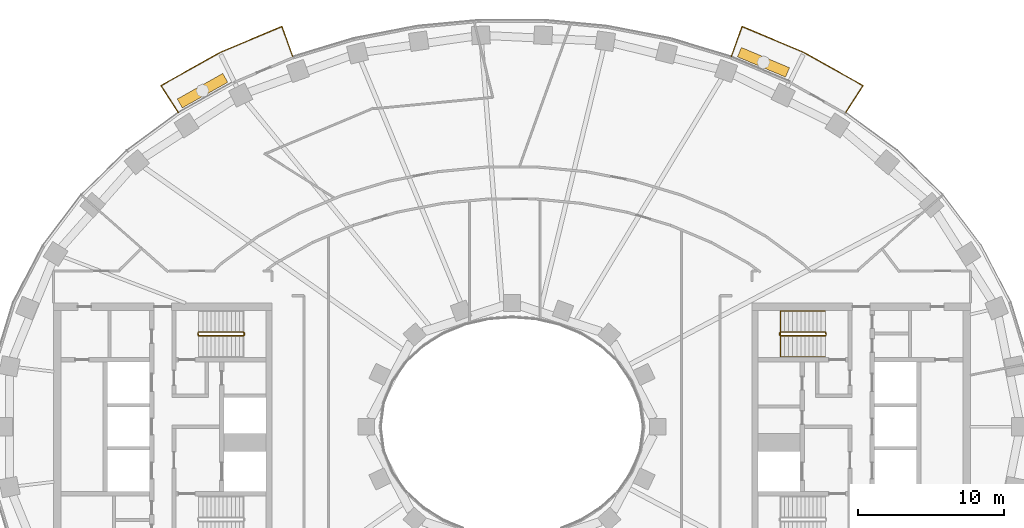
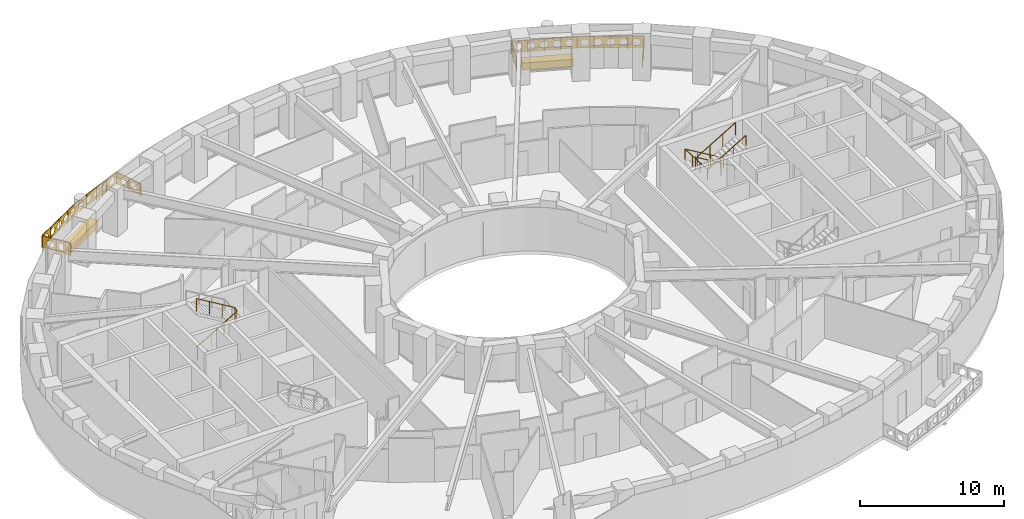
# One storey, part 15 of 16: 5 railings, 2 coverings.
"""IFC4 building model written with IfcOpenShell, lengths in metres."""

from ifc_helpers import new_model, si_unit, direction, frame, origin, origin_2d, place, context, subcontext, project, spatial, polyline, rectangle, outline, extrude, material, type_object, element, save


model = new_model("IFC4")

# Units and contexts
model_context = context("Model", 3, precision=1e-05, world=origin(), true_north=direction((0.0, 1.0)))
body_context = subcontext(model_context, "Body", "Model", "MODEL_VIEW")
ifc_project = project(units=[si_unit("LENGTHUNIT", "METRE"), si_unit("AREAUNIT", "SQUARE_METRE"), si_unit("VOLUMEUNIT", "CUBIC_METRE"), si_unit("PLANEANGLEUNIT", "RADIAN"), si_unit("MASSUNIT", "GRAM", prefix="KILO")], contexts=[model_context])

# Site, building, storey
site_placement = place(None, origin())
site = spatial("IfcSite", under=ifc_project, at=site_placement, CompositionType="ELEMENT")
building_placement = place(site_placement, origin())
building = spatial("IfcBuilding", under=site, at=building_placement, Name="Noorbagh Ring Tower", CompositionType="ELEMENT")
storey_placement = place(building_placement, frame((0.0, 0.0, 116.0)))
storey = spatial("IfcBuildingStorey", under=building, at=storey_placement, Name="L26", CompositionType="ELEMENT", Elevation=116.0)

# Railings
ifc_material_1 = material(Name="Stainless steel", Category="steel")
railing_type_1 = type_object("IfcRailingType", Name="CORE-STAIR-GUARD", PredefinedType="GUARDRAIL", material=ifc_material_1)
railing_1_placement = place(storey_placement, frame((-21.580078125, 6.300048828125, 0.0)))
element("IfcRailing", 1, at=railing_1_placement, inside=storey, type_object=railing_type_1, Name="L26 ST1 stair guard", PredefinedType="GUARDRAIL", context=body_context, shape_type="SweptSolid", body=[
    extrude(rectangle(XDim=0.048095703125, YDim=0.048095703125, at=origin_2d()), frame((0.0, 0.0, 1.076171875), z_axis=(0.0, 1.0, 0.0), x_axis=(-1.0, 0.0, 0.0)), (0.0, 0.0, 1.0), 0.14990234375),
    extrude(rectangle(XDim=0.048095703125, YDim=0.048095703125, at=origin_2d()), frame((0.0, 0.14990234375, 1.076171875), z_axis=(0.188775798145, -0.754182335027, 0.628945707965), x_axis=(0.970072785993, 0.242814311512, 0.0)), (0.0, 0.0, 1.0), 0.26513671875),
    extrude(rectangle(XDim=0.048095703125, YDim=0.048095703125, at=origin_2d()), frame((0.050048828125, -0.050048828125, 1.24267578125), z_axis=(0.859308565015, 0.0, 0.511457515432), x_axis=(0.0, 1.0, 0.0)), (0.0, 0.0, 1.0), 3.58447265625),
    extrude(rectangle(XDim=0.048095703125, YDim=0.048095703125, at=origin_2d()), frame((3.130126953125, -0.050048828125, 3.076171875), z_axis=(0.707106781187, 0.707106781187, 0.0), x_axis=(-0.707106781187, 0.707106781187, 0.0)), (0.0, 0.0, 1.0), 0.07080078125),
    extrude(rectangle(XDim=0.048095703125, YDim=0.048095703125, at=origin_2d()), frame((3.18017578125, 0.0, 3.076171875), z_axis=(0.0, 1.0, 0.0), x_axis=(-1.0, 0.0, 0.0)), (0.0, 0.0, 1.0), 0.14990234375),
    extrude(rectangle(XDim=0.048095703125, YDim=0.048095703125, at=origin_2d()), frame((3.18017578125, 0.14990234375, 3.076171875), z_axis=(-0.27628659633, 0.27628659633, 0.920506074601), x_axis=(-0.707106781187, -0.707106781187, 0.0)), (0.0, 0.0, 1.0), 0.18115234375),
    extrude(rectangle(XDim=0.048095703125, YDim=0.048095703125, at=origin_2d()), frame((3.130126953125, 0.199951171875, 3.24267578125), z_axis=(-0.859308565015, 0.0, 0.511457515432), x_axis=(0.0, -1.0, 0.0)), (0.0, 0.0, 1.0), 3.58447265625),
    extrude(rectangle(XDim=0.0419921875, YDim=0.0419921875, at=origin_2d()), origin(), (0.0, 0.0, 1.0), 1.052001953125),
    extrude(rectangle(XDim=0.0419921875, YDim=0.0419921875, at=origin_2d()), frame((1.07666015625, -0.050048828125, 0.77783203125)), (0.0, 0.0, 1.0), 1.052001953125),
    extrude(rectangle(XDim=0.0419921875, YDim=0.0419921875, at=origin_2d()), frame((2.103515625, -0.050048828125, 1.388916015625)), (0.0, 0.0, 1.0), 1.052001953125),
    extrude(rectangle(XDim=0.0419921875, YDim=0.0419921875, at=origin_2d()), frame((3.130126953125, -0.050048828125, 2.0)), (0.0, 0.0, 1.0), 1.052001953125),
    extrude(rectangle(XDim=0.0419921875, YDim=0.0419921875, at=origin_2d()), frame((3.130126953125, 0.199951171875, 2.166748046875)), (0.0, 0.0, 1.0), 1.052001953125),
    extrude(rectangle(XDim=0.0419921875, YDim=0.0419921875, at=origin_2d()), frame((2.103515625, 0.199951171875, 2.77783203125)), (0.0, 0.0, 1.0), 1.052001953125),
    extrude(rectangle(XDim=0.0419921875, YDim=0.0419921875, at=origin_2d()), frame((1.07666015625, 0.199951171875, 3.388916015625)), (0.0, 0.0, 1.0), 1.052001953125),
    extrude(rectangle(XDim=0.0419921875, YDim=0.0419921875, at=origin_2d()), frame((0.050048828125, 0.199951171875, 4.0)), (0.0, 0.0, 1.0), 1.052001953125),
])
railing_2_placement = place(storey_placement, frame((21.580078125, 6.449951171875, 0.0)))
element("IfcRailing", 2, at=railing_2_placement, inside=storey, type_object=railing_type_1, Name="L26 ST3 stair guard", PredefinedType="GUARDRAIL", context=body_context, shape_type="SweptSolid", body=[
    extrude(rectangle(XDim=0.048095703125, YDim=0.048095703125, at=origin_2d()), frame((0.0, 0.0, 1.076171875), z_axis=(0.0, -1.0, 0.0), x_axis=(1.0, 0.0, 0.0)), (0.0, 0.0, 1.0), 0.14990234375),
    extrude(rectangle(XDim=0.048095703125, YDim=0.048095703125, at=origin_2d()), frame((0.0, -0.14990234375, 1.076171875), z_axis=(-0.188775798145, 0.754182335027, 0.628945707965), x_axis=(-0.970072785993, -0.242814311512, 0.0)), (0.0, 0.0, 1.0), 0.26513671875),
    extrude(rectangle(XDim=0.048095703125, YDim=0.048095703125, at=origin_2d()), frame((-0.050048828125, 0.050048828125, 1.24267578125), z_axis=(-0.859308565015, 0.0, 0.511457515432), x_axis=(0.0, -1.0, 0.0)), (0.0, 0.0, 1.0), 3.58447265625),
    extrude(rectangle(XDim=0.048095703125, YDim=0.048095703125, at=origin_2d()), frame((-3.130126953125, 0.050048828125, 3.076171875), z_axis=(-0.707106781187, -0.707106781187, 0.0), x_axis=(0.707106781187, -0.707106781187, 0.0)), (0.0, 0.0, 1.0), 0.07080078125),
    extrude(rectangle(XDim=0.048095703125, YDim=0.048095703125, at=origin_2d()), frame((-3.18017578125, 0.0, 3.076171875), z_axis=(0.0, -1.0, 0.0), x_axis=(1.0, 0.0, 0.0)), (0.0, 0.0, 1.0), 0.14990234375),
    extrude(rectangle(XDim=0.048095703125, YDim=0.048095703125, at=origin_2d()), frame((-3.18017578125, -0.14990234375, 3.076171875), z_axis=(0.27628659633, -0.27628659633, 0.920506074601), x_axis=(0.707106781187, 0.707106781187, 0.0)), (0.0, 0.0, 1.0), 0.18115234375),
    extrude(rectangle(XDim=0.048095703125, YDim=0.048095703125, at=origin_2d()), frame((-3.130126953125, -0.199951171875, 3.24267578125), z_axis=(0.859308565015, 0.0, 0.511457515432), x_axis=(0.0, 1.0, 0.0)), (0.0, 0.0, 1.0), 3.58447265625),
    extrude(rectangle(XDim=0.0419921875, YDim=0.0419921875, at=origin_2d()), origin(), (0.0, 0.0, 1.0), 1.052001953125),
    extrude(rectangle(XDim=0.0419921875, YDim=0.0419921875, at=origin_2d()), frame((-1.07666015625, 0.050048828125, 0.77783203125)), (0.0, 0.0, 1.0), 1.052001953125),
    extrude(rectangle(XDim=0.0419921875, YDim=0.0419921875, at=origin_2d()), frame((-2.103515625, 0.050048828125, 1.388916015625)), (0.0, 0.0, 1.0), 1.052001953125),
    extrude(rectangle(XDim=0.0419921875, YDim=0.0419921875, at=origin_2d()), frame((-3.130126953125, 0.050048828125, 2.0)), (0.0, 0.0, 1.0), 1.052001953125),
    extrude(rectangle(XDim=0.0419921875, YDim=0.0419921875, at=origin_2d()), frame((-3.130126953125, -0.199951171875, 2.166748046875)), (0.0, 0.0, 1.0), 1.052001953125),
    extrude(rectangle(XDim=0.0419921875, YDim=0.0419921875, at=origin_2d()), frame((-2.103515625, -0.199951171875, 2.77783203125)), (0.0, 0.0, 1.0), 1.052001953125),
    extrude(rectangle(XDim=0.0419921875, YDim=0.0419921875, at=origin_2d()), frame((-1.07666015625, -0.199951171875, 3.388916015625)), (0.0, 0.0, 1.0), 1.052001953125),
    extrude(rectangle(XDim=0.0419921875, YDim=0.0419921875, at=origin_2d()), frame((-0.050048828125, -0.199951171875, 4.0)), (0.0, 0.0, 1.0), 1.052001953125),
])
ifc_material_2 = material(Name="Stainless steel", Category="steel")
railing_type_2 = type_object("IfcRailingType", Name="CORE-STAIR-HANDRAIL", PredefinedType="HANDRAIL", material=ifc_material_2)
railing_3_placement = place(storey_placement, frame((21.530029296875, 7.949951171875, 0.166748046875)))
element("IfcRailing", 3, at=railing_3_placement, inside=storey, type_object=railing_type_2, Name="L26 ST3 stair handrail", PredefinedType="HANDRAIL", context=body_context, shape_type="SweptSolid", body=[
    extrude(rectangle(XDim=0.048095703125, YDim=0.048095703125, at=origin_2d()), frame((0.0, 0.0, 0.8759765625), z_axis=(-0.859308565015, 0.0, 0.511457515432), x_axis=(0.0, -1.0, 0.0)), (0.0, 0.0, 1.0), 3.58447265625),
    extrude(rectangle(XDim=0.048095703125, YDim=0.048095703125, at=origin_2d()), frame((-3.080078125, 0.0, 2.708984375), z_axis=(0.0, -0.998601747152, 0.052863509014), x_axis=(1.0, 0.0, 0.0)), (0.0, 0.0, 1.0), 3.154296875),
    extrude(rectangle(XDim=0.048095703125, YDim=0.048095703125, at=origin_2d()), frame((-3.080078125, -3.14990234375, 2.8759765625), z_axis=(0.859308565015, 0.0, 0.511457515432), x_axis=(0.0, 1.0, 0.0)), (0.0, 0.0, 1.0), 3.58447265625),
    extrude(rectangle(XDim=0.0419921875, YDim=0.0419921875, at=origin_2d()), origin(), (0.0, 0.0, 1.0), 0.851806640625),
    extrude(rectangle(XDim=0.0419921875, YDim=0.0419921875, at=origin_2d()), frame((-1.026611328125, 0.0, 0.611083984375)), (0.0, 0.0, 1.0), 0.851806640625),
    extrude(rectangle(XDim=0.0419921875, YDim=0.0419921875, at=origin_2d()), frame((-2.053466796875, 0.0, 1.22216796875)), (0.0, 0.0, 1.0), 0.851806640625),
    extrude(rectangle(XDim=0.0419921875, YDim=0.0419921875, at=origin_2d()), frame((-3.080078125, 0.0, 1.833251953125)), (0.0, 0.0, 1.0), 0.851806640625),
    extrude(rectangle(XDim=0.0419921875, YDim=0.0419921875, at=origin_2d()), frame((-3.080078125, -1.050048828125, 1.888916015625)), (0.0, 0.0, 1.0), 0.851806640625),
    extrude(rectangle(XDim=0.0419921875, YDim=0.0419921875, at=origin_2d()), frame((-3.080078125, -2.099853515625, 1.9443359375)), (0.0, 0.0, 1.0), 0.851806640625),
    extrude(rectangle(XDim=0.0419921875, YDim=0.0419921875, at=origin_2d()), frame((-3.080078125, -3.14990234375, 2.0)), (0.0, 0.0, 1.0), 0.851806640625),
    extrude(rectangle(XDim=0.0419921875, YDim=0.0419921875, at=origin_2d()), frame((-2.053466796875, -3.14990234375, 2.611083984375)), (0.0, 0.0, 1.0), 0.851806640625),
    extrude(rectangle(XDim=0.0419921875, YDim=0.0419921875, at=origin_2d()), frame((-1.026611328125, -3.14990234375, 3.22216796875)), (0.0, 0.0, 1.0), 0.851806640625),
    extrude(rectangle(XDim=0.0419921875, YDim=0.0419921875, at=origin_2d()), frame((0.0, -3.14990234375, 3.833251953125)), (0.0, 0.0, 1.0), 0.851806640625),
])
ifc_material_3 = material(Name="Steel S275 black powder-coated", Category="steel")
railing_type_3 = type_object("IfcRailingType", Name="ENV-GUARD", PredefinedType="GUARDRAIL", material=ifc_material_3)
railing_4_placement = place(storey_placement, frame((22.9326171875, 21.583740234375, 0.0)))
element("IfcRailing", 4, at=railing_4_placement, inside=storey, type_object=railing_type_3, Name="Balcony guard BN02", PredefinedType="GUARDRAIL", context=body_context, shape_type="SweptSolid", body=[
    extrude(rectangle(XDim=0.048095703125, YDim=0.048095703125, at=origin_2d()), frame((0.0, 0.0, 1.076171875), z_axis=(0.542268136821, 0.840205491406, 0.0), x_axis=(-0.840205491406, 0.542268136821, 0.0)), (0.0, 0.0, 1.0), 2.204345703125),
    extrude(rectangle(XDim=0.048095703125, YDim=0.048095703125, at=origin_2d()), frame((1.1953125, 1.85205078125, 1.076171875), z_axis=(-0.872052247658, 0.489412788303, 0.0), x_axis=(-0.489412788303, -0.872052247658, 0.0)), (0.0, 0.0, 1.0), 4.646240234375),
    extrude(rectangle(XDim=0.048095703125, YDim=0.048095703125, at=origin_2d()), frame((-2.8564453125, 4.1259765625, 1.076171875), z_axis=(-0.921809087722, 0.387644174203, 0.0), x_axis=(-0.387644174203, -0.921809087722, 0.0)), (0.0, 0.0, 1.0), 4.627197265625),
    extrude(rectangle(XDim=0.048095703125, YDim=0.048095703125, at=origin_2d()), frame((-7.121826171875, 5.919677734375, 1.076171875), z_axis=(-0.338350546839, -0.941020141896, 0.0), x_axis=(0.941020141896, -0.338350546839, 0.0)), (0.0, 0.0, 1.0), 2.202880859375),
    extrude(rectangle(XDim=0.0419921875, YDim=0.0419921875, at=origin_2d()), origin(), (0.0, 0.0, 1.0), 1.052001953125),
    extrude(rectangle(XDim=0.0419921875, YDim=0.0419921875, at=origin_2d()), frame((0.59765625, 0.926025390625, 0.0)), (0.0, 0.0, 1.0), 1.052001953125),
    extrude(rectangle(XDim=0.0419921875, YDim=0.0419921875, at=origin_2d()), frame((1.1953125, 1.85205078125, 0.0)), (0.0, 0.0, 1.0), 1.052001953125),
    extrude(rectangle(XDim=0.0419921875, YDim=0.0419921875, at=origin_2d()), frame((0.182373046875, 2.42041015625, 0.0)), (0.0, 0.0, 1.0), 1.052001953125),
    extrude(rectangle(XDim=0.0419921875, YDim=0.0419921875, at=origin_2d()), frame((-0.83056640625, 2.989013671875, 0.0)), (0.0, 0.0, 1.0), 1.052001953125),
    extrude(rectangle(XDim=0.0419921875, YDim=0.0419921875, at=origin_2d()), frame((-1.843505859375, 3.5576171875, 0.0)), (0.0, 0.0, 1.0), 1.052001953125),
    extrude(rectangle(XDim=0.0419921875, YDim=0.0419921875, at=origin_2d()), frame((-2.8564453125, 4.1259765625, 0.0)), (0.0, 0.0, 1.0), 1.052001953125),
    extrude(rectangle(XDim=0.0419921875, YDim=0.0419921875, at=origin_2d()), frame((-3.9228515625, 4.574462890625, 0.0)), (0.0, 0.0, 1.0), 1.052001953125),
    extrude(rectangle(XDim=0.0419921875, YDim=0.0419921875, at=origin_2d()), frame((-4.9892578125, 5.02294921875, 0.0)), (0.0, 0.0, 1.0), 1.052001953125),
    extrude(rectangle(XDim=0.0419921875, YDim=0.0419921875, at=origin_2d()), frame((-6.055419921875, 5.47119140625, 0.0)), (0.0, 0.0, 1.0), 1.052001953125),
    extrude(rectangle(XDim=0.0419921875, YDim=0.0419921875, at=origin_2d()), frame((-7.121826171875, 5.919677734375, 0.0)), (0.0, 0.0, 1.0), 1.052001953125),
    extrude(rectangle(XDim=0.0419921875, YDim=0.0419921875, at=origin_2d()), frame((-7.49462890625, 4.88330078125, 0.0)), (0.0, 0.0, 1.0), 1.052001953125),
    extrude(rectangle(XDim=0.0419921875, YDim=0.0419921875, at=origin_2d()), frame((-7.8671875, 3.8466796875, 0.0)), (0.0, 0.0, 1.0), 1.052001953125),
    extrude(outline(polyline([(0.0, 0.10009765625), (2.204345703125, 0.10009765625), (2.204345703125, 1.031982421875), (0.0, 1.031982421875), (0.0, 0.10009765625)]), holes=[polyline([(0.962158203125, 0.56591796875), (0.80712890625, 0.83447265625), (0.4970703125, 0.83447265625), (0.342041015625, 0.56591796875), (0.4970703125, 0.297607421875), (0.80712890625, 0.297607421875), (0.962158203125, 0.56591796875)]), polyline([(1.862060546875, 0.56591796875), (1.70703125, 0.83447265625), (1.397216796875, 0.83447265625), (1.2421875, 0.56591796875), (1.397216796875, 0.297607421875), (1.70703125, 0.297607421875), (1.862060546875, 0.56591796875)])]), frame((-0.00830078125, 0.00537109375, 0.0), z_axis=(0.840205491406, -0.542268136821, 0.0), x_axis=(0.542268136821, 0.840205491406, 0.0)), (0.0, 0.0, 1.0), 0.02001953125),
    extrude(outline(polyline([(0.0, 0.10009765625), (4.646240234375, 0.10009765625), (4.646240234375, 1.031982421875), (0.0, 1.031982421875), (0.0, 0.10009765625)]), holes=[polyline([(0.8330078125, 0.56591796875), (0.67822265625, 0.83447265625), (0.3681640625, 0.83447265625), (0.213134765625, 0.56591796875), (0.3681640625, 0.297607421875), (0.67822265625, 0.297607421875), (0.8330078125, 0.56591796875)]), polyline([(1.733154296875, 0.56591796875), (1.578125, 0.83447265625), (1.26806640625, 0.83447265625), (1.113037109375, 0.56591796875), (1.26806640625, 0.297607421875), (1.578125, 0.297607421875), (1.733154296875, 0.56591796875)]), polyline([(2.633056640625, 0.56591796875), (2.47802734375, 0.83447265625), (2.168212890625, 0.83447265625), (2.01318359375, 0.56591796875), (2.168212890625, 0.297607421875), (2.47802734375, 0.297607421875), (2.633056640625, 0.56591796875)]), polyline([(3.533203125, 0.56591796875), (3.378173828125, 0.83447265625), (3.068115234375, 0.83447265625), (2.9130859375, 0.56591796875), (3.068115234375, 0.297607421875), (3.378173828125, 0.297607421875), (3.533203125, 0.56591796875)]), polyline([(4.43310546875, 0.56591796875), (4.278076171875, 0.83447265625), (3.968017578125, 0.83447265625), (3.813232421875, 0.56591796875), (3.968017578125, 0.297607421875), (4.278076171875, 0.297607421875), (4.43310546875, 0.56591796875)])]), frame((1.1904296875, 1.84326171875, 0.0), z_axis=(0.489412788303, 0.872052247658, 0.0), x_axis=(-0.872052247658, 0.489412788303, 0.0)), (0.0, 0.0, 1.0), 0.02001953125),
    extrude(outline(polyline([(0.0, 0.10009765625), (4.627197265625, 0.10009765625), (4.627197265625, 1.031982421875), (0.0, 1.031982421875), (0.0, 0.10009765625)]), holes=[polyline([(0.823486328125, 0.56591796875), (0.668701171875, 0.83447265625), (0.358642578125, 0.83447265625), (0.20361328125, 0.56591796875), (0.358642578125, 0.297607421875), (0.668701171875, 0.297607421875), (0.823486328125, 0.56591796875)]), polyline([(1.7236328125, 0.56591796875), (1.568603515625, 0.83447265625), (1.258544921875, 0.83447265625), (1.103515625, 0.56591796875), (1.258544921875, 0.297607421875), (1.568603515625, 0.297607421875), (1.7236328125, 0.56591796875)]), polyline([(2.62353515625, 0.56591796875), (2.468505859375, 0.83447265625), (2.15869140625, 0.83447265625), (2.003662109375, 0.56591796875), (2.15869140625, 0.297607421875), (2.468505859375, 0.297607421875), (2.62353515625, 0.56591796875)]), polyline([(3.523681640625, 0.56591796875), (3.36865234375, 0.83447265625), (3.05859375, 0.83447265625), (2.903564453125, 0.56591796875), (3.05859375, 0.297607421875), (3.36865234375, 0.297607421875), (3.523681640625, 0.56591796875)]), polyline([(4.423583984375, 0.56591796875), (4.2685546875, 0.83447265625), (3.95849609375, 0.83447265625), (3.8037109375, 0.56591796875), (3.95849609375, 0.297607421875), (4.2685546875, 0.297607421875), (4.423583984375, 0.56591796875)])]), frame((-2.8603515625, 4.11669921875, 0.0), z_axis=(0.387644174203, 0.921809087722, 0.0), x_axis=(-0.921809087722, 0.387644174203, 0.0)), (0.0, 0.0, 1.0), 0.02001953125),
    extrude(outline(polyline([(0.0, 0.10009765625), (2.202880859375, 0.10009765625), (2.202880859375, 1.031982421875), (0.0, 1.031982421875), (0.0, 0.10009765625)]), holes=[polyline([(0.96142578125, 0.56591796875), (0.806396484375, 0.83447265625), (0.49658203125, 0.83447265625), (0.341552734375, 0.56591796875), (0.49658203125, 0.297607421875), (0.806396484375, 0.297607421875), (0.96142578125, 0.56591796875)]), polyline([(1.861572265625, 0.56591796875), (1.70654296875, 0.83447265625), (1.396484375, 0.83447265625), (1.241455078125, 0.56591796875), (1.396484375, 0.297607421875), (1.70654296875, 0.297607421875), (1.861572265625, 0.56591796875)])]), frame((-7.1123046875, 5.916259765625, 0.0), z_axis=(-0.941020141896, 0.338350546839, 0.0), x_axis=(-0.338350546839, -0.941020141896, 0.0)), (0.0, 0.0, 1.0), 0.02001953125),
])
railing_5_placement = place(storey_placement, frame((-15.0654296875, 25.430419921875, 0.0)))
element("IfcRailing", 5, at=railing_5_placement, inside=storey, type_object=railing_type_3, Name="Balcony guard BN05", PredefinedType="GUARDRAIL", context=body_context, shape_type="SweptSolid", body=[
    extrude(rectangle(XDim=0.048095703125, YDim=0.048095703125, at=origin_2d()), frame((0.0, 0.0, 1.076171875), z_axis=(-0.338350546839, 0.941020141896, 0.0), x_axis=(-0.941020141896, -0.338350546839, 0.0)), (0.0, 0.0, 1.0), 2.202880859375),
    extrude(rectangle(XDim=0.048095703125, YDim=0.048095703125, at=origin_2d()), frame((-0.745361328125, 2.072998046875, 1.076171875), z_axis=(-0.921809087722, -0.387644174203, 0.0), x_axis=(0.387644174203, -0.921809087722, 0.0)), (0.0, 0.0, 1.0), 4.627197265625),
    extrude(rectangle(XDim=0.048095703125, YDim=0.048095703125, at=origin_2d()), frame((-5.0107421875, 0.279296875, 1.076171875), z_axis=(-0.872052247658, -0.489412788303, 0.0), x_axis=(0.489412788303, -0.872052247658, 0.0)), (0.0, 0.0, 1.0), 4.646240234375),
    extrude(rectangle(XDim=0.048095703125, YDim=0.048095703125, at=origin_2d()), frame((-9.0625, -1.99462890625, 1.076171875), z_axis=(0.542268136821, -0.840205491406, 0.0), x_axis=(0.840205491406, 0.542268136821, 0.0)), (0.0, 0.0, 1.0), 2.204345703125),
    extrude(rectangle(XDim=0.0419921875, YDim=0.0419921875, at=origin_2d()), origin(), (0.0, 0.0, 1.0), 1.052001953125),
    extrude(rectangle(XDim=0.0419921875, YDim=0.0419921875, at=origin_2d()), frame((-0.37255859375, 1.03662109375, 0.0)), (0.0, 0.0, 1.0), 1.052001953125),
    extrude(rectangle(XDim=0.0419921875, YDim=0.0419921875, at=origin_2d()), frame((-0.745361328125, 2.072998046875, 0.0)), (0.0, 0.0, 1.0), 1.052001953125),
    extrude(rectangle(XDim=0.0419921875, YDim=0.0419921875, at=origin_2d()), frame((-1.811767578125, 1.62451171875, 0.0)), (0.0, 0.0, 1.0), 1.052001953125),
    extrude(rectangle(XDim=0.0419921875, YDim=0.0419921875, at=origin_2d()), frame((-2.8779296875, 1.17626953125, 0.0)), (0.0, 0.0, 1.0), 1.052001953125),
    extrude(rectangle(XDim=0.0419921875, YDim=0.0419921875, at=origin_2d()), frame((-3.9443359375, 0.727783203125, 0.0)), (0.0, 0.0, 1.0), 1.052001953125),
    extrude(rectangle(XDim=0.0419921875, YDim=0.0419921875, at=origin_2d()), frame((-5.0107421875, 0.279296875, 0.0)), (0.0, 0.0, 1.0), 1.052001953125),
    extrude(rectangle(XDim=0.0419921875, YDim=0.0419921875, at=origin_2d()), frame((-6.023681640625, -0.2890625, 0.0)), (0.0, 0.0, 1.0), 1.052001953125),
    extrude(rectangle(XDim=0.0419921875, YDim=0.0419921875, at=origin_2d()), frame((-7.03662109375, -0.857666015625, 0.0)), (0.0, 0.0, 1.0), 1.052001953125),
    extrude(rectangle(XDim=0.0419921875, YDim=0.0419921875, at=origin_2d()), frame((-8.049560546875, -1.42626953125, 0.0)), (0.0, 0.0, 1.0), 1.052001953125),
    extrude(rectangle(XDim=0.0419921875, YDim=0.0419921875, at=origin_2d()), frame((-9.0625, -1.99462890625, 0.0)), (0.0, 0.0, 1.0), 1.052001953125),
    extrude(rectangle(XDim=0.0419921875, YDim=0.0419921875, at=origin_2d()), frame((-8.46484375, -2.920654296875, 0.0)), (0.0, 0.0, 1.0), 1.052001953125),
    extrude(rectangle(XDim=0.0419921875, YDim=0.0419921875, at=origin_2d()), frame((-7.8671875, -3.8466796875, 0.0)), (0.0, 0.0, 1.0), 1.052001953125),
    extrude(outline(polyline([(0.0, 0.10009765625), (2.202880859375, 0.10009765625), (2.202880859375, 1.031982421875), (0.0, 1.031982421875), (0.0, 0.10009765625)]), holes=[polyline([(0.96142578125, 0.56591796875), (0.806396484375, 0.83447265625), (0.49658203125, 0.83447265625), (0.341552734375, 0.56591796875), (0.49658203125, 0.297607421875), (0.806396484375, 0.297607421875), (0.96142578125, 0.56591796875)]), polyline([(1.861572265625, 0.56591796875), (1.70654296875, 0.83447265625), (1.396484375, 0.83447265625), (1.241455078125, 0.56591796875), (1.396484375, 0.297607421875), (1.70654296875, 0.297607421875), (1.861572265625, 0.56591796875)])]), frame((-0.009521484375, -0.00341796875, 0.0), z_axis=(0.941020141896, 0.338350546839, 0.0), x_axis=(-0.338350546839, 0.941020141896, 0.0)), (0.0, 0.0, 1.0), 0.02001953125),
    extrude(outline(polyline([(0.0, 0.10009765625), (4.627197265625, 0.10009765625), (4.627197265625, 1.031982421875), (0.0, 1.031982421875), (0.0, 0.10009765625)]), holes=[polyline([(0.823486328125, 0.56591796875), (0.668701171875, 0.83447265625), (0.358642578125, 0.83447265625), (0.20361328125, 0.56591796875), (0.358642578125, 0.297607421875), (0.668701171875, 0.297607421875), (0.823486328125, 0.56591796875)]), polyline([(1.7236328125, 0.56591796875), (1.568603515625, 0.83447265625), (1.258544921875, 0.83447265625), (1.103515625, 0.56591796875), (1.258544921875, 0.297607421875), (1.568603515625, 0.297607421875), (1.7236328125, 0.56591796875)]), polyline([(2.62353515625, 0.56591796875), (2.468505859375, 0.83447265625), (2.15869140625, 0.83447265625), (2.003662109375, 0.56591796875), (2.15869140625, 0.297607421875), (2.468505859375, 0.297607421875), (2.62353515625, 0.56591796875)]), polyline([(3.523681640625, 0.56591796875), (3.36865234375, 0.83447265625), (3.05859375, 0.83447265625), (2.903564453125, 0.56591796875), (3.05859375, 0.297607421875), (3.36865234375, 0.297607421875), (3.523681640625, 0.56591796875)]), polyline([(4.423583984375, 0.56591796875), (4.2685546875, 0.83447265625), (3.95849609375, 0.83447265625), (3.8037109375, 0.56591796875), (3.95849609375, 0.297607421875), (4.2685546875, 0.297607421875), (4.423583984375, 0.56591796875)])]), frame((-0.741455078125, 2.063720703125, 0.0), z_axis=(-0.387644174203, 0.921809087722, 0.0), x_axis=(-0.921809087722, -0.387644174203, 0.0)), (0.0, 0.0, 1.0), 0.02001953125),
    extrude(outline(polyline([(0.0, 0.10009765625), (4.646240234375, 0.10009765625), (4.646240234375, 1.031982421875), (0.0, 1.031982421875), (0.0, 0.10009765625)]), holes=[polyline([(0.8330078125, 0.56591796875), (0.67822265625, 0.83447265625), (0.3681640625, 0.83447265625), (0.213134765625, 0.56591796875), (0.3681640625, 0.297607421875), (0.67822265625, 0.297607421875), (0.8330078125, 0.56591796875)]), polyline([(1.733154296875, 0.56591796875), (1.578125, 0.83447265625), (1.26806640625, 0.83447265625), (1.113037109375, 0.56591796875), (1.26806640625, 0.297607421875), (1.578125, 0.297607421875), (1.733154296875, 0.56591796875)]), polyline([(2.633056640625, 0.56591796875), (2.47802734375, 0.83447265625), (2.168212890625, 0.83447265625), (2.01318359375, 0.56591796875), (2.168212890625, 0.297607421875), (2.47802734375, 0.297607421875), (2.633056640625, 0.56591796875)]), polyline([(3.533203125, 0.56591796875), (3.378173828125, 0.83447265625), (3.068115234375, 0.83447265625), (2.9130859375, 0.56591796875), (3.068115234375, 0.297607421875), (3.378173828125, 0.297607421875), (3.533203125, 0.56591796875)]), polyline([(4.43310546875, 0.56591796875), (4.278076171875, 0.83447265625), (3.968017578125, 0.83447265625), (3.813232421875, 0.56591796875), (3.968017578125, 0.297607421875), (4.278076171875, 0.297607421875), (4.43310546875, 0.56591796875)])]), frame((-5.005859375, 0.2705078125, 0.0), z_axis=(-0.489412788303, 0.872052247658, 0.0), x_axis=(-0.872052247658, -0.489412788303, 0.0)), (0.0, 0.0, 1.0), 0.02001953125),
    extrude(outline(polyline([(0.0, 0.10009765625), (2.204345703125, 0.10009765625), (2.204345703125, 1.031982421875), (0.0, 1.031982421875), (0.0, 0.10009765625)]), holes=[polyline([(0.962158203125, 0.56591796875), (0.80712890625, 0.83447265625), (0.4970703125, 0.83447265625), (0.342041015625, 0.56591796875), (0.4970703125, 0.297607421875), (0.80712890625, 0.297607421875), (0.962158203125, 0.56591796875)]), polyline([(1.862060546875, 0.56591796875), (1.70703125, 0.83447265625), (1.397216796875, 0.83447265625), (1.2421875, 0.56591796875), (1.397216796875, 0.297607421875), (1.70703125, 0.297607421875), (1.862060546875, 0.56591796875)])]), frame((-9.05419921875, -1.9892578125, 0.0), z_axis=(-0.840205491406, -0.542268136821, 0.0), x_axis=(0.542268136821, -0.840205491406, 0.0)), (0.0, 0.0, 1.0), 0.02001953125),
])

# Coverings
ifc_material_4 = material(Name="Concrete C30/37 planter with soil", Category="concrete")
covering_type = type_object("IfcCoveringType", Name="ENV-PLANTER", PredefinedType="CLADDING", material=ifc_material_4)
covering_1_placement = place(storey_placement, frame((17.280517578125, 25.041259765625, 0.0), z_axis=(0.0, 0.0, 1.0), x_axis=(-0.921811566494, 0.387638279686, 0.0)))
element("IfcCovering", 6, at=covering_1_placement, inside=storey, type_object=covering_type, Name="PLANTER BN02", ObjectType="PLANTER", PredefinedType="CLADDING", context=body_context, shape_type="SweptSolid", body=[
    extrude(rectangle(XDim=3.5859375, YDim=0.699951171875, at=origin_2d()), origin(), (0.0, 0.0, 1.0), 0.60009765625),
])
covering_2_placement = place(storey_placement, frame((-21.26513671875, 23.093017578125, 0.0), z_axis=(0.0, 0.0, 1.0), x_axis=(-0.872044586249, -0.48942643941, 0.0)))
element("IfcCovering", 7, at=covering_2_placement, inside=storey, type_object=covering_type, Name="PLANTER BN05", ObjectType="PLANTER", PredefinedType="CLADDING", context=body_context, shape_type="SweptSolid", body=[
    extrude(rectangle(XDim=3.58544921875, YDim=0.699951171875, at=origin_2d()), origin(), (0.0, 0.0, 1.0), 0.60009765625),
])

save(model, "model.ifc")
